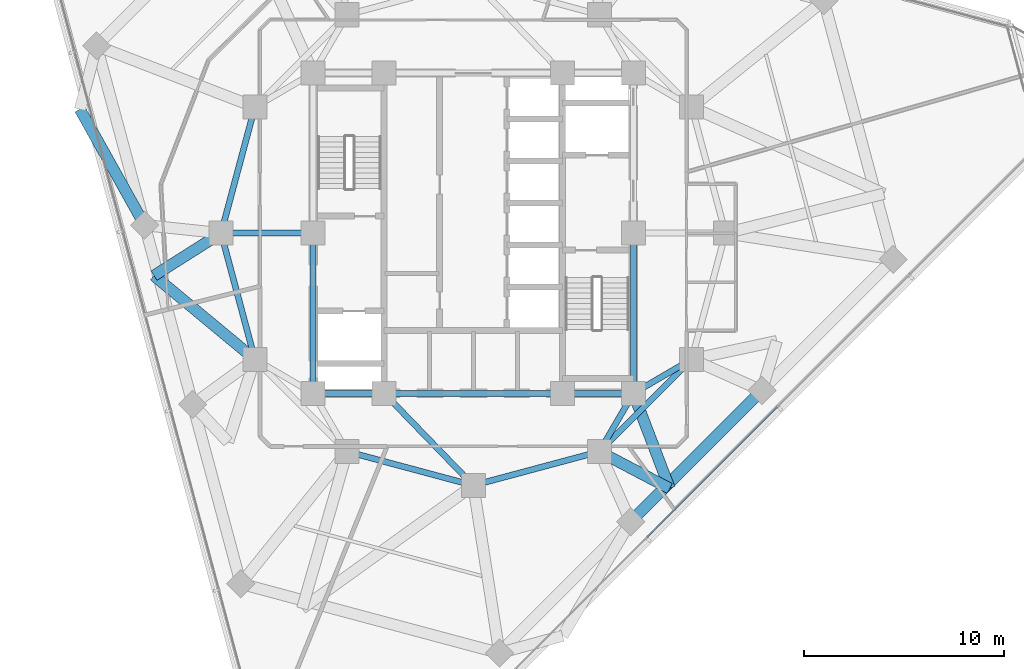
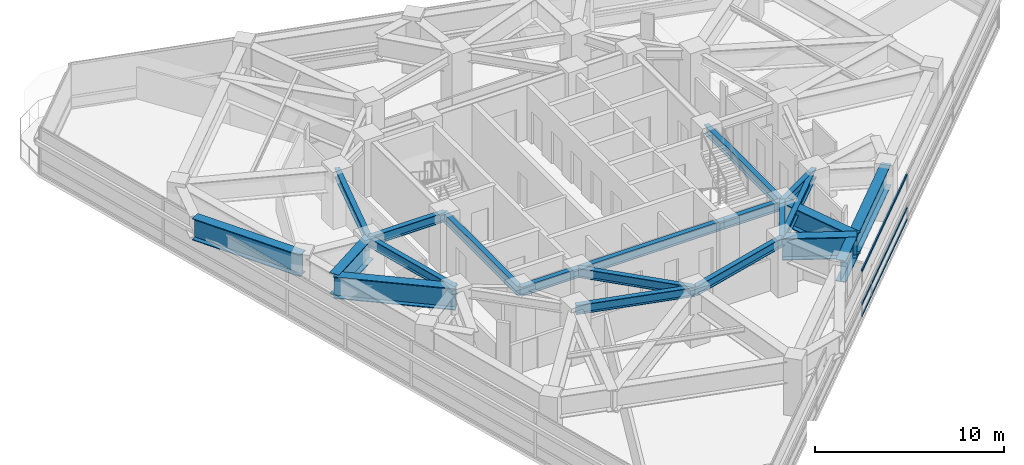
# One storey, part 3 of 15: 20 beams, 3 members, 1 element without a shape of its own.
"""IFC4 building model written with IfcOpenShell, lengths in metres."""

from ifc_helpers import new_model, si_unit, direction, frame, origin, origin_2d, place, context, subcontext, project, spatial, rectangle, i_section, extrude, material, layer, layer_set, material_profile, profile_set, type_object, element, aggregate, save


model = new_model("IFC4")

# Units and contexts
model_context = context("Model", 3, precision=1e-05, world=origin(), true_north=direction((0.0, 1.0)))
body_context = subcontext(model_context, "Body", "Model", "MODEL_VIEW")
ifc_project = project(units=[si_unit("LENGTHUNIT", "METRE"), si_unit("AREAUNIT", "SQUARE_METRE"), si_unit("VOLUMEUNIT", "CUBIC_METRE"), si_unit("PLANEANGLEUNIT", "RADIAN"), si_unit("MASSUNIT", "GRAM", prefix="KILO")], contexts=[model_context])

# Site, building, storey
site_placement = place(None, origin())
site = spatial("IfcSite", under=ifc_project, at=site_placement, CompositionType="ELEMENT")
building_placement = place(site_placement, origin())
building = spatial("IfcBuilding", under=site, at=building_placement, Name="Terralouvre Media Tower", CompositionType="ELEMENT")
storey_placement = place(building_placement, frame((0.0, 0.0, 210.10009765625)))
storey = spatial("IfcBuildingStorey", under=building, at=storey_placement, Name="L54", CompositionType="ELEMENT", Elevation=210.10009765625)

# Curtain wall, members
ifc_material_1 = material(Name="Low-iron laminated double glazing with solar-control coating", Category="glass")
ifc_layer = layer(ifc_material_1, 0.1650390625, Name="Production Studio Tower Curtain Wall CW-03")
ifc_layer_set = layer_set([ifc_layer], Name="Low-iron laminated double glazing with solar-control coating")
curtain_wall_type = type_object("IfcCurtainWallType", Name="Production Studio Tower Curtain Wall CW-03", PredefinedType="NOTDEFINED", material=ifc_layer_set)
curtain_wall_placement = place(storey_placement, origin())
curtain_wall = element("IfcCurtainWall", 1, at=curtain_wall_placement, inside=storey, type_object=curtain_wall_type, Name="L54 Facade Curtain Wall F0", PredefinedType="NOTDEFINED")
ifc_material_2 = material(Name="Anodised extruded aluminium 6063-T6", Category="aluminium")
ifc_material_profile_1 = material_profile(ifc_material_2, rectangle(XDim=0.074951171875, YDim=0.14990234375, at=origin_2d()), Name="ALU 75x150")
ifc_profile_set_1 = profile_set([ifc_material_profile_1], Name="Anodised extruded aluminium 6063-T6")
member_type = type_object("IfcMemberType", Name="Curtain-Wall Horizontal Transom TR-150", PredefinedType="USERDEFINED", material=ifc_profile_set_1)
member_1_placement = place(storey_placement, frame((8.6865234375, -15.189697265625, 0.037353515625), z_axis=(0.707106781187, 0.707106781187, 0.0), x_axis=(-0.707106781187, 0.707106781187, 0.0)))
member_1 = element("IfcMember", 2, at=member_1_placement, type_object=member_type, Name="CW-03 transom 3.1", ObjectType="TRANSOM", PredefinedType="USERDEFINED", context=body_context, shape_type="SweptSolid", body=[
    extrude(rectangle(XDim=0.074951171875, YDim=0.14990234375, at=origin_2d()), origin(), (0.0, 0.0, 1.0), 9.19677734375),
])
member_2_placement = place(storey_placement, frame((8.6865234375, -15.189697265625, 0.7998046875), z_axis=(0.707106781187, 0.707106781187, 0.0), x_axis=(-0.707106781187, 0.707106781187, 0.0)))
member_2 = element("IfcMember", 3, at=member_2_placement, type_object=member_type, Name="CW-03 transom 3.2", ObjectType="TRANSOM", PredefinedType="USERDEFINED", context=body_context, shape_type="SweptSolid", body=[
    extrude(rectangle(XDim=0.074951171875, YDim=0.14990234375, at=origin_2d()), origin(), (0.0, 0.0, 1.0), 9.19677734375),
])
member_3_placement = place(storey_placement, frame((8.6865234375, -15.189697265625, 2.92236328125), z_axis=(0.707106781187, 0.707106781187, 0.0), x_axis=(-0.707106781187, 0.707106781187, 0.0)))
member_3 = element("IfcMember", 4, at=member_3_placement, type_object=member_type, Name="CW-03 transom 3.3", ObjectType="TRANSOM", PredefinedType="USERDEFINED", context=body_context, shape_type="SweptSolid", body=[
    extrude(rectangle(XDim=0.074951171875, YDim=0.14990234375, at=origin_2d()), origin(), (0.0, 0.0, 1.0), 9.19677734375),
])
aggregate(curtain_wall, [member_1, member_2, member_3])

# Beams
ifc_material_3 = material(Name="Structural steel S460M", Category="steel")
ifc_material_profile_2 = material_profile(ifc_material_3, i_section(OverallWidth=0.300048828125, OverallDepth=0.60009765625, WebThickness=0.015380859375, FlangeThickness=0.030029296875, at=origin_2d()), Name="HEB 600")
ifc_profile_set_2 = profile_set([ifc_material_profile_2], Name="Structural steel S460M")
beam_type_1 = type_object("IfcBeamType", Name="Primary Floor Girder B-HEB600 (HEB 600)", PredefinedType="BEAM", material=ifc_profile_set_2)
beam_1_placement = place(storey_placement, frame((-8.0, -8.0, 3.159912109375), z_axis=(1.0, 0.0, 0.0), x_axis=(0.0, 1.0, 0.0)))
element("IfcBeam", 5, at=beam_1_placement, inside=storey, type_object=beam_type_1, Name="L54 Framing Beam BM-L54-CPR01", PredefinedType="BEAM", context=body_context, shape_type="SweptSolid", body=[
    extrude(i_section(OverallWidth=0.300048828125, OverallDepth=0.60009765625, WebThickness=0.015380859375, FlangeThickness=0.030029296875, at=origin_2d()), origin(), (0.0, 0.0, 1.0), 3.550048828125),
])
beam_2_placement = place(storey_placement, frame((-4.449951171875, -8.0, 3.159912109375), z_axis=(1.0, 0.0, 0.0), x_axis=(0.0, 1.0, 0.0)))
element("IfcBeam", 6, at=beam_2_placement, inside=storey, type_object=beam_type_1, Name="L54 Framing Beam BM-L54-CPR02", PredefinedType="BEAM", context=body_context, shape_type="SweptSolid", body=[
    extrude(i_section(OverallWidth=0.300048828125, OverallDepth=0.60009765625, WebThickness=0.015380859375, FlangeThickness=0.030029296875, at=origin_2d()), origin(), (0.0, 0.0, 1.0), 8.89990234375),
])
beam_3_placement = place(storey_placement, frame((4.449951171875, -8.0, 3.159912109375), z_axis=(1.0, 0.0, 0.0), x_axis=(0.0, 1.0, 0.0)))
element("IfcBeam", 7, at=beam_3_placement, inside=storey, type_object=beam_type_1, Name="L54 Framing Beam BM-L54-CPR03", PredefinedType="BEAM", context=body_context, shape_type="SweptSolid", body=[
    extrude(i_section(OverallWidth=0.300048828125, OverallDepth=0.60009765625, WebThickness=0.015380859375, FlangeThickness=0.030029296875, at=origin_2d()), origin(), (0.0, 0.0, 1.0), 3.550048828125),
])
for number, where, z_axis, x_axis, name in (
    (8, (8.0, -8.0, 3.159912109375), (0.0, 1.0, 0.0), (-1.0, 0.0, 0.0), "L54 Framing Beam BM-L54-CPR04"),
    (9, (-8.0, 0.0, 3.159912109375), (0.0, -1.0, 0.0), (1.0, 0.0, 0.0), "L54 Framing Beam BM-L54-CPR10"),
):
    element("IfcBeam", number, at=place(storey_placement, frame(where, z_axis=z_axis, x_axis=x_axis)), inside=storey, type_object=beam_type_1, Name=name, PredefinedType="BEAM", context=body_context, shape_type="SweptSolid", body=[
        extrude(i_section(OverallWidth=0.300048828125, OverallDepth=0.60009765625, WebThickness=0.015380859375, FlangeThickness=0.030029296875, at=origin_2d()), origin(), (0.0, 0.0, 1.0), 8.0),
    ])
for number, where, z_axis, x_axis, name in (
    (10, (-6.300048828125, -10.911865234375, 3.159912109375), (0.965920481897, -0.258838989821, 0.0), (0.258838989821, 0.965920481897, 0.0), "L54 Framing Beam BM-L54-MR02"),
    (11, (0.0, -12.60009765625, 3.159912109375), (0.965920481897, 0.258838989821, 0.0), (-0.258838989821, 0.965920481897, 0.0), "L54 Framing Beam BM-L54-MR03"),
):
    element("IfcBeam", number, at=place(storey_placement, frame(where, z_axis=z_axis, x_axis=x_axis)), inside=storey, type_object=beam_type_1, Name=name, PredefinedType="BEAM", context=body_context, shape_type="SweptSolid", body=[
        extrude(i_section(OverallWidth=0.300048828125, OverallDepth=0.60009765625, WebThickness=0.015380859375, FlangeThickness=0.030029296875, at=origin_2d()), origin(), (0.0, 0.0, 1.0), 6.522216796875),
    ])
beam_4_placement = place(storey_placement, frame((6.300048828125, -10.911865234375, 3.159912109375), z_axis=(0.707106781187, 0.707106781187, 0.0), x_axis=(-0.707106781187, 0.707106781187, 0.0)))
element("IfcBeam", 12, at=beam_4_placement, inside=storey, type_object=beam_type_1, Name="L54 Framing Beam BM-L54-MR04", PredefinedType="BEAM", context=body_context, shape_type="SweptSolid", body=[
    extrude(i_section(OverallWidth=0.300048828125, OverallDepth=0.60009765625, WebThickness=0.015380859375, FlangeThickness=0.030029296875, at=origin_2d()), origin(), (0.0, 0.0, 1.0), 6.52197265625),
])
for number, where, z_axis, x_axis, name in (
    (13, (-10.911865234375, 6.300048828125, 3.159912109375), (-0.258838989821, -0.965920481897, 0.0), (0.965920481897, -0.258838989821, 0.0), "L54 Framing Beam BM-L54-MR11"),
    (14, (-12.60009765625, 0.0, 3.159912109375), (0.258838989821, -0.965920481897, 0.0), (0.965920481897, 0.258838989821, 0.0), "L54 Framing Beam BM-L54-MR12"),
):
    element("IfcBeam", number, at=place(storey_placement, frame(where, z_axis=z_axis, x_axis=x_axis)), inside=storey, type_object=beam_type_1, Name=name, PredefinedType="BEAM", context=body_context, shape_type="SweptSolid", body=[
        extrude(i_section(OverallWidth=0.300048828125, OverallDepth=0.60009765625, WebThickness=0.015380859375, FlangeThickness=0.030029296875, at=origin_2d()), origin(), (0.0, 0.0, 1.0), 6.522216796875),
    ])
beam_5_placement = place(storey_placement, frame((-4.449951171875, -8.0, 3.159912109375), z_axis=(0.695279715726, -0.718739255155, 0.0), x_axis=(0.718739255155, 0.695279715726, 0.0)))
element("IfcBeam", 15, at=beam_5_placement, inside=storey, type_object=beam_type_1, Name="L54 Framing Beam BM-L54-CM03", PredefinedType="BEAM", context=body_context, shape_type="SweptSolid", body=[
    extrude(i_section(OverallWidth=0.300048828125, OverallDepth=0.60009765625, WebThickness=0.015380859375, FlangeThickness=0.030029296875, at=origin_2d()), origin(), (0.0, 0.0, 1.0), 6.400146484375),
])
for number, where, z_axis, x_axis, name in (
    (16, (8.0, -8.0, 3.159912109375), (-0.504172629717, -0.863602894532, 0.0), (0.863602894532, -0.504172629717, 0.0), "L54 Framing Beam BM-L54-CM04"),
    (17, (8.0, -8.0, 3.159912109375), (0.863602894532, 0.504172629717, 0.0), (-0.504172629717, 0.863602894532, 0.0), "L54 Framing Beam BM-L54-CM05"),
):
    element("IfcBeam", number, at=place(storey_placement, frame(where, z_axis=z_axis, x_axis=x_axis)), inside=storey, type_object=beam_type_1, Name=name, PredefinedType="BEAM", context=body_context, shape_type="SweptSolid", body=[
        extrude(i_section(OverallWidth=0.300048828125, OverallDepth=0.60009765625, WebThickness=0.015380859375, FlangeThickness=0.030029296875, at=origin_2d()), origin(), (0.0, 0.0, 1.0), 3.371826171875),
    ])
beam_6_placement = place(storey_placement, frame((-8.0, 0.0, 3.159912109375), z_axis=(-1.0, 0.0, 0.0), x_axis=(0.0, -1.0, 0.0)))
element("IfcBeam", 18, at=beam_6_placement, inside=storey, type_object=beam_type_1, Name="L54 Framing Beam BM-L54-CM12", PredefinedType="BEAM", context=body_context, shape_type="SweptSolid", body=[
    extrude(i_section(OverallWidth=0.300048828125, OverallDepth=0.60009765625, WebThickness=0.015380859375, FlangeThickness=0.030029296875, at=origin_2d()), origin(), (0.0, 0.0, 1.0), 4.60009765625),
])
ifc_material_4 = material(Name="Structural steel S460M", Category="steel")
ifc_material_profile_3 = material_profile(ifc_material_4, i_section(OverallWidth=0.56005859375, OverallDepth=1.39990234375, WebThickness=0.031982421875, FlangeThickness=0.050048828125, at=origin_2d()), Name="TG 1400x560")
ifc_profile_set_3 = profile_set([ifc_material_profile_3], Name="Structural steel S460M")
beam_type_2 = type_object("IfcBeamType", Name="Welded Transfer Girder TG-1400 (TG 1400x560)", PredefinedType="USERDEFINED", material=ifc_profile_set_3)
beam_7_placement = place(storey_placement, frame((7.86083984375, -14.417236328125, 2.760009765625), z_axis=(0.707106781187, 0.707106781187, 0.0), x_axis=(-0.707106781187, 0.707106781187, 0.0)))
element("IfcBeam", 19, at=beam_7_placement, inside=storey, type_object=beam_type_2, Name="L54 Framing Beam BM-L54-PR04", ObjectType="TRANSFER GIRDER", PredefinedType="USERDEFINED", context=body_context, shape_type="SweptSolid", body=[
    extrude(i_section(OverallWidth=0.56005859375, OverallDepth=1.39990234375, WebThickness=0.031982421875, FlangeThickness=0.050048828125, at=origin_2d()), origin(), (0.0, 0.0, 1.0), 9.272216796875),
])
beam_8_placement = place(storey_placement, frame((9.8125, -12.75341796875, 2.760009765625), z_axis=(-0.885655556229, 0.464342799794, 0.0), x_axis=(-0.464342799794, -0.885655556229, 0.0)))
element("IfcBeam", 20, at=beam_8_placement, inside=storey, type_object=beam_type_2, Name="L54 Framing Beam BM-L54-TR02S1", ObjectType="TRANSFER GIRDER", PredefinedType="USERDEFINED", context=body_context, shape_type="SweptSolid", body=[
    extrude(i_section(OverallWidth=0.56005859375, OverallDepth=1.39990234375, WebThickness=0.031982421875, FlangeThickness=0.050048828125, at=origin_2d()), origin(), (0.0, 0.0, 1.0), 3.9658203125),
])
beam_9_placement = place(storey_placement, frame((9.8125, -12.75341796875, 2.760009765625), z_axis=(-0.356282684553, 0.934378215011, 0.0), x_axis=(-0.934378215011, -0.356282684553, 0.0)))
element("IfcBeam", 21, at=beam_9_placement, inside=storey, type_object=beam_type_2, Name="L54 Framing Beam BM-L54-TR02S2", ObjectType="TRANSFER GIRDER", PredefinedType="USERDEFINED", context=body_context, shape_type="SweptSolid", body=[
    extrude(i_section(OverallWidth=0.56005859375, OverallDepth=1.39990234375, WebThickness=0.031982421875, FlangeThickness=0.050048828125, at=origin_2d()), origin(), (0.0, 0.0, 1.0), 5.087158203125),
])
beam_10_placement = place(storey_placement, frame((-19.65234375, 6.192138671875, 2.760009765625), z_axis=(0.487825481628, -0.872941177557, 0.0), x_axis=(0.872941177557, 0.487825481628, 0.0)))
element("IfcBeam", 22, at=beam_10_placement, inside=storey, type_object=beam_type_2, Name="L54 Framing Beam BM-L54-TR09S2", ObjectType="TRANSFER GIRDER", PredefinedType="USERDEFINED", context=body_context, shape_type="SweptSolid", body=[
    extrude(i_section(OverallWidth=0.56005859375, OverallDepth=1.39990234375, WebThickness=0.031982421875, FlangeThickness=0.050048828125, at=origin_2d()), origin(), (0.0, 0.0, 1.0), 6.63427734375),
])
beam_11_placement = place(storey_placement, frame((-15.950927734375, -2.121337890625, 2.760009765625), z_axis=(0.844916454891, 0.534898293373, 0.0), x_axis=(-0.534898293373, 0.844916454891, 0.0)))
element("IfcBeam", 23, at=beam_11_placement, inside=storey, type_object=beam_type_2, Name="L54 Framing Beam BM-L54-TR10S1", ObjectType="TRANSFER GIRDER", PredefinedType="USERDEFINED", context=body_context, shape_type="SweptSolid", body=[
    extrude(i_section(OverallWidth=0.56005859375, OverallDepth=1.39990234375, WebThickness=0.031982421875, FlangeThickness=0.050048828125, at=origin_2d()), origin(), (0.0, 0.0, 1.0), 3.9658203125),
])
beam_12_placement = place(storey_placement, frame((-15.950927734375, -2.121337890625, 2.760009765625), z_axis=(0.769759748216, -0.638333713685, 0.0), x_axis=(0.638333713685, 0.769759748216, 0.0)))
element("IfcBeam", 24, at=beam_12_placement, inside=storey, type_object=beam_type_2, Name="L54 Framing Beam BM-L54-TR10S2", ObjectType="TRANSFER GIRDER", PredefinedType="USERDEFINED", context=body_context, shape_type="SweptSolid", body=[
    extrude(i_section(OverallWidth=0.56005859375, OverallDepth=1.39990234375, WebThickness=0.031982421875, FlangeThickness=0.050048828125, at=origin_2d()), origin(), (0.0, 0.0, 1.0), 6.54638671875),
])

save(model, "model.ifc")
